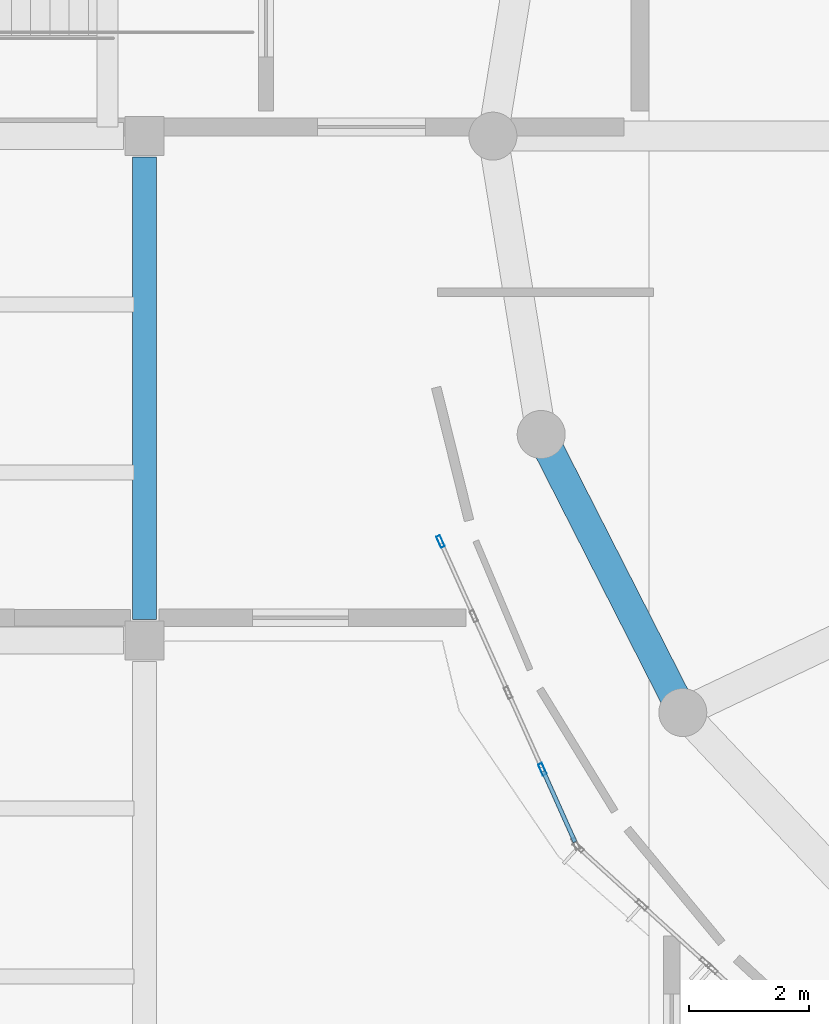
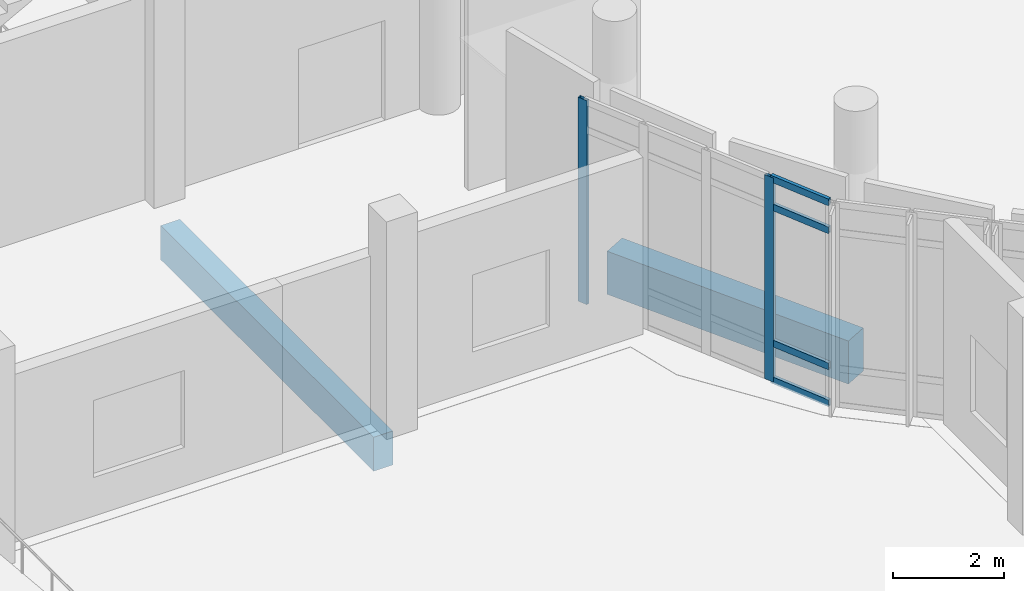
# One storey, part 4 of 63: 6 members, 2 beams, 1 element without a shape of its own.
"""IFC4 building model written with IfcOpenShell, lengths in metres."""

from ifc_helpers import new_model, si_unit, derived_unit, direction, frame, origin, origin_2d, place, context, subcontext, project, spatial, rectangle, hollow_rectangle, extrude, material, layer, layer_set, material_profile, profile_set, type_object, element, aggregate, save


model = new_model("IFC4")

# Units and contexts
model_context = context("Model", 3, precision=1e-05, world=origin(), true_north=direction((0.0, 1.0)))
body_context = subcontext(model_context, "Body", "Model", "MODEL_VIEW")
ifc_project = project(units=[si_unit("LENGTHUNIT", "METRE"), si_unit("AREAUNIT", "SQUARE_METRE"), si_unit("VOLUMEUNIT", "CUBIC_METRE"), si_unit("PLANEANGLEUNIT", "RADIAN"), si_unit("MASSUNIT", "GRAM", prefix="KILO"), derived_unit("THERMALTRANSMITTANCEUNIT", [(si_unit("POWERUNIT", "WATT"), 1), (si_unit("LENGTHUNIT", "METRE"), -2), (si_unit("THERMODYNAMICTEMPERATUREUNIT", "KELVIN"), -1)])], contexts=[model_context])

# Site, building, storey
site_placement = place(None, origin())
site = spatial("IfcSite", under=ifc_project, at=site_placement, CompositionType="ELEMENT")
building_placement = place(site_placement, origin())
building = spatial("IfcBuilding", under=site, at=building_placement, Name="Elbkamm Science Centre", CompositionType="ELEMENT")
storey_placement = place(building_placement, frame((0.0, 0.0, 5.10009765625)))
storey = spatial("IfcBuildingStorey", under=building, at=storey_placement, Name="L01", CompositionType="ELEMENT", Elevation=5.10009765625)

# Beams
ifc_material_1 = material(Name="Concrete C40/50", Category="concrete")
ifc_material_profile_1 = material_profile(ifc_material_1, rectangle(XDim=0.39990234375, YDim=0.75, at=origin_2d()), Name="RC 400x750")
ifc_profile_set_1 = profile_set([ifc_material_profile_1], Name="Concrete C40/50")
beam_type_1 = type_object("IfcBeamType", Name="BM-RC-400x750", PredefinedType="BEAM", material=ifc_profile_set_1)
beam_1_placement = place(storey_placement, frame((33.60009765625, 59.14990234375, -0.775146484375), z_axis=(0.0, 1.0, 0.0), x_axis=(-1.0, 0.0, 0.0)))
element("IfcBeam", 1, at=beam_1_placement, inside=storey, type_object=beam_type_1, Name="L01 Primary Y-Girder 010", PredefinedType="BEAM", context=body_context, shape_type="SweptSolid", body=[
    extrude(rectangle(XDim=0.39990234375, YDim=0.75, at=origin_2d()), origin(), (0.0, 0.0, 1.0), 7.7001953125),
])
ifc_material_profile_2 = material_profile(ifc_material_1, rectangle(XDim=0.5, YDim=0.949951171875, at=origin_2d()), Name="RC 500x950")
ifc_profile_set_2 = profile_set([ifc_material_profile_2], Name="Concrete C40/50")
beam_type_2 = type_object("IfcBeamType", Name="BM-RC-500x950", PredefinedType="BEAM", material=ifc_profile_set_2)
beam_2_placement = place(storey_placement, frame((40.2041015625, 62.23095703125, -0.875), z_axis=(0.45374138036, -0.891133412991, 0.0), x_axis=(0.891133412991, 0.45374138036, 0.0)))
element("IfcBeam", 2, at=beam_2_placement, inside=storey, type_object=beam_type_2, Name="L01 Elliptical Shell Perimeter Ring Beam 14", PredefinedType="SPANDREL", context=body_context, shape_type="SweptSolid", body=[
    extrude(rectangle(XDim=0.5, YDim=0.949951171875, at=origin_2d()), origin(), (0.0, 0.0, 1.0), 5.196533203125),
])

# Curtain wall, members
ifc_material_2 = material(Name="Powder-coated aluminium and triple low-E glazing", Category="aluminium")
ifc_layer = layer(ifc_material_2, 0.159912109375)
ifc_layer_set = layer_set([ifc_layer], Name="Powder-coated aluminium and triple low-E glazing")
curtain_wall_type = type_object("IfcCurtainWallType", Name="CW-UNIT-5580x4500", PredefinedType="USERDEFINED", material=ifc_layer_set)
curtain_wall_placement = place(storey_placement, origin())
curtain_wall = element("IfcCurtainWall", 3, at=curtain_wall_placement, inside=storey, type_object=curtain_wall_type, Name="L01 Unitised Curtain Wall 012", ObjectType="UNITISED CURTAIN WALL", PredefinedType="USERDEFINED")
ifc_material_3 = material(Name="Powder-coated aluminium EN AW-6060", Category="aluminium")
ifc_material_profile_3 = material_profile(ifc_material_3, hollow_rectangle(XDim=0.070068359375, YDim=0.199951171875, WallThickness=0.00439453125, at=origin_2d()), Name="ALU M70x200")
ifc_profile_set_3 = profile_set([ifc_material_profile_3], Name="Powder-coated aluminium EN AW-6060")
member_type_1 = type_object("IfcMemberType", Name="CW-MUL-70x200", PredefinedType="MULLION", material=ifc_profile_set_3)
member_1_placement = place(storey_placement, frame((38.526611328125, 60.448974609375, 0.0), z_axis=(0.0, 0.0, 1.0), x_axis=(0.912753994477, 0.408509663981, 0.0)))
member_1 = element("IfcMember", 4, at=member_1_placement, type_object=member_type_1, Name="CW-007 mullion 1", PredefinedType="MULLION", context=body_context, shape_type="SweptSolid", body=[
    extrude(hollow_rectangle(XDim=0.070068359375, YDim=0.199951171875, WallThickness=0.00439453125, at=origin_2d()), origin(), (0.0, 0.0, 1.0), 4.5),
])
member_2_placement = place(storey_placement, frame((40.224365234375, 56.6552734375, 0.0), z_axis=(0.0, 0.0, 1.0), x_axis=(0.912753994477, 0.408509663981, 0.0)))
member_2 = element("IfcMember", 5, at=member_2_placement, type_object=member_type_1, Name="CW-007 mullion 4", PredefinedType="MULLION", context=body_context, shape_type="SweptSolid", body=[
    extrude(hollow_rectangle(XDim=0.070068359375, YDim=0.199951171875, WallThickness=0.00439453125, at=origin_2d()), origin(), (0.0, 0.0, 1.0), 4.5),
])
ifc_material_profile_4 = material_profile(ifc_material_3, hollow_rectangle(XDim=0.070068359375, YDim=0.14990234375, WallThickness=0.00390625, at=origin_2d()), Name="ALU T70x150")
ifc_profile_set_4 = profile_set([ifc_material_profile_4], Name="Powder-coated aluminium EN AW-6060")
member_type_2 = type_object("IfcMemberType", Name="CW-TRN-70x150", PredefinedType="USERDEFINED", material=ifc_profile_set_4)
member_3_placement = place(storey_placement, frame((40.23876953125, 56.623291015625, 0.034912109375), z_axis=(0.408486201253, -0.912764495029, 0.0), x_axis=(0.912764495029, 0.408486201253, 0.0)))
member_3 = element("IfcMember", 6, at=member_3_placement, type_object=member_type_2, Name="CW-007 transom 4.1", ObjectType="TRANSOM", PredefinedType="USERDEFINED", context=body_context, shape_type="SweptSolid", body=[
    extrude(hollow_rectangle(XDim=0.070068359375, YDim=0.14990234375, WallThickness=0.00390625, at=origin_2d()), origin(), (0.0, 0.0, 1.0), 1.292236328125),
])
member_4_placement = place(storey_placement, frame((40.23876953125, 56.623291015625, 0.849853515625), z_axis=(0.408486201253, -0.912764495029, 0.0), x_axis=(0.912764495029, 0.408486201253, 0.0)))
member_4 = element("IfcMember", 7, at=member_4_placement, type_object=member_type_2, Name="CW-007 transom 4.2", ObjectType="TRANSOM", PredefinedType="USERDEFINED", context=body_context, shape_type="SweptSolid", body=[
    extrude(hollow_rectangle(XDim=0.070068359375, YDim=0.14990234375, WallThickness=0.00390625, at=origin_2d()), origin(), (0.0, 0.0, 1.0), 1.292236328125),
])
member_5_placement = place(storey_placement, frame((40.23876953125, 56.623291015625, 3.849853515625), z_axis=(0.408486201253, -0.912764495029, 0.0), x_axis=(0.912764495029, 0.408486201253, 0.0)))
member_5 = element("IfcMember", 8, at=member_5_placement, type_object=member_type_2, Name="CW-007 transom 4.3", ObjectType="TRANSOM", PredefinedType="USERDEFINED", context=body_context, shape_type="SweptSolid", body=[
    extrude(hollow_rectangle(XDim=0.070068359375, YDim=0.14990234375, WallThickness=0.00390625, at=origin_2d()), origin(), (0.0, 0.0, 1.0), 1.292236328125),
])
member_6_placement = place(storey_placement, frame((40.23876953125, 56.623291015625, 4.46484375), z_axis=(0.408486201253, -0.912764495029, 0.0), x_axis=(0.912764495029, 0.408486201253, 0.0)))
member_6 = element("IfcMember", 9, at=member_6_placement, type_object=member_type_2, Name="CW-007 transom 4.4", ObjectType="TRANSOM", PredefinedType="USERDEFINED", context=body_context, shape_type="SweptSolid", body=[
    extrude(hollow_rectangle(XDim=0.070068359375, YDim=0.14990234375, WallThickness=0.00390625, at=origin_2d()), origin(), (0.0, 0.0, 1.0), 1.292236328125),
])
aggregate(curtain_wall, [member_1, member_2, member_3, member_4, member_5, member_6])

save(model, "model.ifc")
